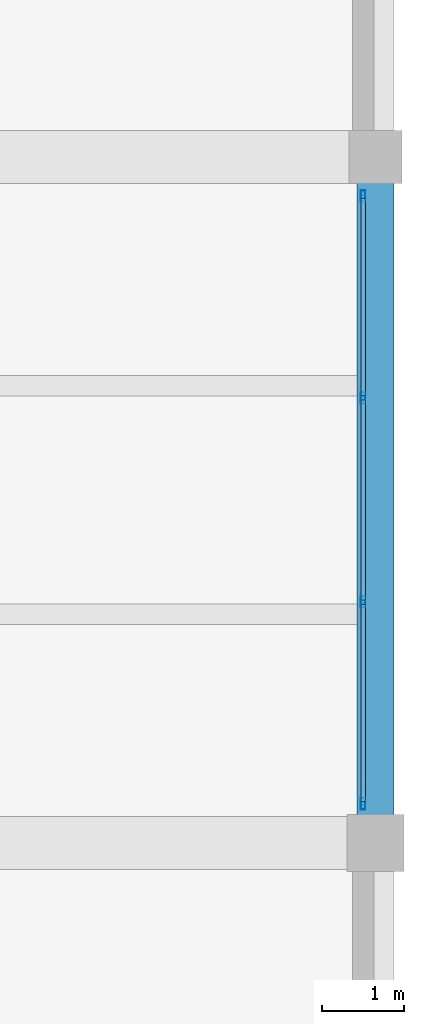
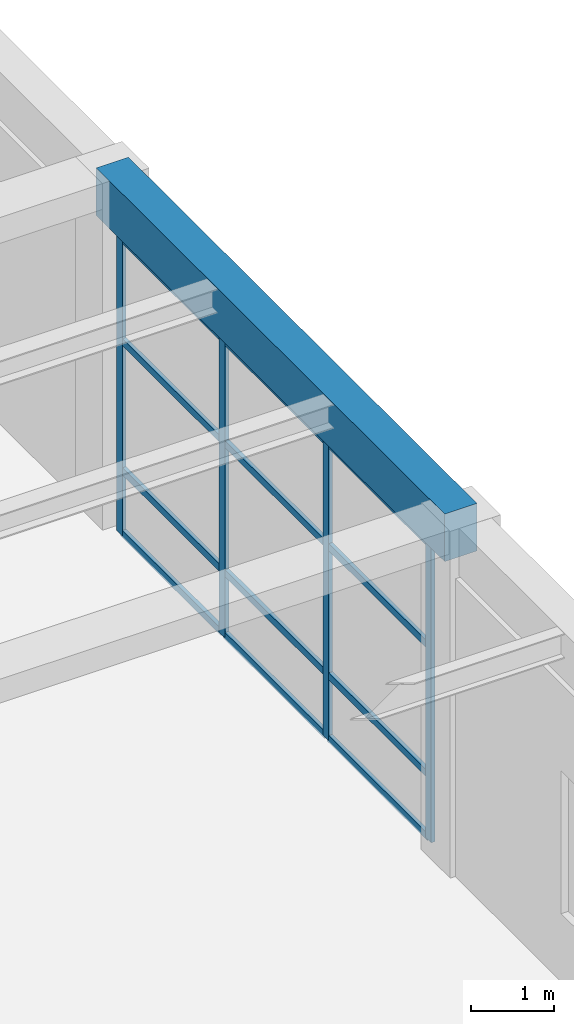
# One storey, part 58 of 95: 16 members, 1 beam, 1 element without a shape of its own.
"""IFC4 building model written with IfcOpenShell, lengths in metres."""

from ifc_helpers import new_model, si_unit, direction, frame, origin, origin_2d, place, context, subcontext, project, spatial, rectangle, hollow_rectangle, extrude, material, material_profile, profile_set, type_object, element, aggregate, save


model = new_model("IFC4")

# Units and contexts
model_context = context("Model", 3, precision=1e-05, world=origin(), true_north=direction((0.0, 1.0)))
body_context = subcontext(model_context, "Body", "Model", "MODEL_VIEW")
ifc_project = project(units=[si_unit("LENGTHUNIT", "METRE"), si_unit("AREAUNIT", "SQUARE_METRE"), si_unit("VOLUMEUNIT", "CUBIC_METRE"), si_unit("PLANEANGLEUNIT", "RADIAN"), si_unit("MASSUNIT", "GRAM", prefix="KILO")], contexts=[model_context])

# Site, building, storey
site_placement = place(None, origin())
site = spatial("IfcSite", under=ifc_project, at=site_placement, CompositionType="ELEMENT")
building_placement = place(site_placement, origin())
building = spatial("IfcBuilding", under=site, at=building_placement, Name="Almacenes y Pasaje Nevantli", CompositionType="ELEMENT")
storey_placement = place(building_placement, frame((0.0, 0.0, 11.39990234375)))
storey = spatial("IfcBuildingStorey", under=building, at=storey_placement, Name="L03", CompositionType="ELEMENT", Elevation=11.39990234375)

# Beam
ifc_material_1 = material(Name="Concrete C35/45", Category="concrete")
ifc_material_profile_1 = material_profile(ifc_material_1, rectangle(XDim=0.449951171875, YDim=0.699951171875, at=origin_2d()), Name="RC-BM-450x700")
ifc_profile_set_1 = profile_set([ifc_material_profile_1], Name="Concrete C35/45")
beam_type = type_object("IfcBeamType", Name="BM-RC-450x700", PredefinedType="SPANDREL", material=ifc_profile_set_1)
beam_placement = place(storey_placement, frame((168.0, 84.0, 4.75), z_axis=(0.0, 1.0, 0.0), x_axis=(-1.0, 0.0, 0.0)))
element("IfcBeam", 1, at=beam_placement, inside=storey, type_object=beam_type, Name="L03 North-South Reinforced Concrete Beam #2712", PredefinedType="SPANDREL", context=body_context, shape_type="SweptSolid", body=[
    extrude(rectangle(XDim=0.449951171875, YDim=0.699951171875, at=origin_2d()), origin(), (0.0, 0.0, 1.0), 8.39990234375),
])

# Curtain wall, members
ifc_material_2 = material(Name="Thermally Broken Aluminium and Low-E Glass", Category="aluminium")
curtain_wall_type = type_object("IfcCurtainWallType", Name="CW-UNIT-PODIUM", PredefinedType="USERDEFINED", material=ifc_material_2)
curtain_wall_placement = place(storey_placement, origin())
curtain_wall = element("IfcCurtainWall", 2, at=curtain_wall_placement, inside=storey, type_object=curtain_wall_type, Name="L03 East Office Wing Curtain Wall Bay 11", ObjectType="UNITIZED CURTAIN WALL", PredefinedType="USERDEFINED")
ifc_material_3 = material(Name="Thermally Broken Anodized Aluminium", Category="aluminium")
ifc_material_profile_2 = material_profile(ifc_material_3, hollow_rectangle(XDim=0.054931640625, YDim=0.139892578125, WallThickness=0.00341796875, at=origin_2d()), Name="ALU-MUL-55x140")
ifc_profile_set_2 = profile_set([ifc_material_profile_2], Name="Thermally Broken Anodized Aluminium")
member_type_1 = type_object("IfcMemberType", Name="CW-MUL-160", PredefinedType="MULLION", material=ifc_profile_set_2)
member_1_placement = place(storey_placement, frame((167.85009765625, 84.4775390625, 0.0), z_axis=(0.0, 0.0, 1.0), x_axis=(-1.0, 0.0, 0.0)))
member_1 = element("IfcMember", 3, at=member_1_placement, type_object=member_type_1, Name="CW-L03-056 mullion 1", PredefinedType="MULLION", context=body_context, shape_type="SweptSolid", body=[
    extrude(hollow_rectangle(XDim=0.054931640625, YDim=0.139892578125, WallThickness=0.00341796875, at=origin_2d()), origin(), (0.0, 0.0, 1.0), 4.380126953125),
])
member_2_placement = place(storey_placement, frame((167.85009765625, 86.949951171875, 0.0), z_axis=(0.0, 0.0, 1.0), x_axis=(-1.0, 0.0, 0.0)))
member_2 = element("IfcMember", 4, at=member_2_placement, type_object=member_type_1, Name="CW-L03-056 mullion 2", PredefinedType="MULLION", context=body_context, shape_type="SweptSolid", body=[
    extrude(hollow_rectangle(XDim=0.054931640625, YDim=0.139892578125, WallThickness=0.00341796875, at=origin_2d()), origin(), (0.0, 0.0, 1.0), 4.380126953125),
])
member_3_placement = place(storey_placement, frame((167.85009765625, 89.449951171875, 0.0), z_axis=(0.0, 0.0, 1.0), x_axis=(-1.0, 0.0, 0.0)))
member_3 = element("IfcMember", 5, at=member_3_placement, type_object=member_type_1, Name="CW-L03-056 mullion 3", PredefinedType="MULLION", context=body_context, shape_type="SweptSolid", body=[
    extrude(hollow_rectangle(XDim=0.054931640625, YDim=0.139892578125, WallThickness=0.00341796875, at=origin_2d()), origin(), (0.0, 0.0, 1.0), 4.380126953125),
])
member_4_placement = place(storey_placement, frame((167.85009765625, 91.922607421875, 0.0), z_axis=(0.0, 0.0, 1.0), x_axis=(-1.0, 0.0, 0.0)))
member_4 = element("IfcMember", 6, at=member_4_placement, type_object=member_type_1, Name="CW-L03-056 mullion 4", PredefinedType="MULLION", context=body_context, shape_type="SweptSolid", body=[
    extrude(hollow_rectangle(XDim=0.054931640625, YDim=0.139892578125, WallThickness=0.00341796875, at=origin_2d()), origin(), (0.0, 0.0, 1.0), 4.380126953125),
])
ifc_material_4 = material(Name="Thermally Broken Anodized Aluminium", Category="aluminium")
ifc_material_profile_3 = material_profile(ifc_material_4, hollow_rectangle(XDim=0.054931640625, YDim=0.10498046875, WallThickness=0.003173828125, at=origin_2d()), Name="ALU-TRN-55x105")
ifc_profile_set_3 = profile_set([ifc_material_profile_3], Name="Thermally Broken Anodized Aluminium")
member_type_2 = type_object("IfcMemberType", Name="CW-TRN-120", PredefinedType="USERDEFINED", material=ifc_profile_set_3)
member_5_placement = place(storey_placement, frame((167.85009765625, 84.5048828125, 0.027587890625), z_axis=(0.0, 1.0, 0.0), x_axis=(-1.0, 0.0, 0.0)))
member_5 = element("IfcMember", 7, at=member_5_placement, type_object=member_type_2, Name="CW-L03-056 transom 1.1", ObjectType="TRANSOM", PredefinedType="USERDEFINED", context=body_context, shape_type="SweptSolid", body=[
    extrude(hollow_rectangle(XDim=0.054931640625, YDim=0.10498046875, WallThickness=0.003173828125, at=origin_2d()), origin(), (0.0, 0.0, 1.0), 2.417724609375),
])
member_6_placement = place(storey_placement, frame((167.85009765625, 84.5048828125, 0.9501953125), z_axis=(0.0, 1.0, 0.0), x_axis=(-1.0, 0.0, 0.0)))
member_6 = element("IfcMember", 8, at=member_6_placement, type_object=member_type_2, Name="CW-L03-056 transom 1.2", ObjectType="TRANSOM", PredefinedType="USERDEFINED", context=body_context, shape_type="SweptSolid", body=[
    extrude(hollow_rectangle(XDim=0.054931640625, YDim=0.10498046875, WallThickness=0.003173828125, at=origin_2d()), origin(), (0.0, 0.0, 1.0), 2.417724609375),
])
member_7_placement = place(storey_placement, frame((167.85009765625, 84.5048828125, 2.85009765625), z_axis=(0.0, 1.0, 0.0), x_axis=(-1.0, 0.0, 0.0)))
member_7 = element("IfcMember", 9, at=member_7_placement, type_object=member_type_2, Name="CW-L03-056 transom 1.3", ObjectType="TRANSOM", PredefinedType="USERDEFINED", context=body_context, shape_type="SweptSolid", body=[
    extrude(hollow_rectangle(XDim=0.054931640625, YDim=0.10498046875, WallThickness=0.003173828125, at=origin_2d()), origin(), (0.0, 0.0, 1.0), 2.417724609375),
])
member_8_placement = place(storey_placement, frame((167.85009765625, 84.5048828125, 4.3525390625), z_axis=(0.0, 1.0, 0.0), x_axis=(-1.0, 0.0, 0.0)))
member_8 = element("IfcMember", 10, at=member_8_placement, type_object=member_type_2, Name="CW-L03-056 transom 1.4", ObjectType="TRANSOM", PredefinedType="USERDEFINED", context=body_context, shape_type="SweptSolid", body=[
    extrude(hollow_rectangle(XDim=0.054931640625, YDim=0.10498046875, WallThickness=0.003173828125, at=origin_2d()), origin(), (0.0, 0.0, 1.0), 2.417724609375),
])
member_9_placement = place(storey_placement, frame((167.85009765625, 86.9775390625, 0.027587890625), z_axis=(0.0, 1.0, 0.0), x_axis=(-1.0, 0.0, 0.0)))
member_9 = element("IfcMember", 11, at=member_9_placement, type_object=member_type_2, Name="CW-L03-056 transom 2.1", ObjectType="TRANSOM", PredefinedType="USERDEFINED", context=body_context, shape_type="SweptSolid", body=[
    extrude(hollow_rectangle(XDim=0.054931640625, YDim=0.10498046875, WallThickness=0.003173828125, at=origin_2d()), origin(), (0.0, 0.0, 1.0), 2.445068359375),
])
member_10_placement = place(storey_placement, frame((167.85009765625, 86.9775390625, 0.9501953125), z_axis=(0.0, 1.0, 0.0), x_axis=(-1.0, 0.0, 0.0)))
member_10 = element("IfcMember", 12, at=member_10_placement, type_object=member_type_2, Name="CW-L03-056 transom 2.2", ObjectType="TRANSOM", PredefinedType="USERDEFINED", context=body_context, shape_type="SweptSolid", body=[
    extrude(hollow_rectangle(XDim=0.054931640625, YDim=0.10498046875, WallThickness=0.003173828125, at=origin_2d()), origin(), (0.0, 0.0, 1.0), 2.445068359375),
])
member_11_placement = place(storey_placement, frame((167.85009765625, 86.9775390625, 2.85009765625), z_axis=(0.0, 1.0, 0.0), x_axis=(-1.0, 0.0, 0.0)))
member_11 = element("IfcMember", 13, at=member_11_placement, type_object=member_type_2, Name="CW-L03-056 transom 2.3", ObjectType="TRANSOM", PredefinedType="USERDEFINED", context=body_context, shape_type="SweptSolid", body=[
    extrude(hollow_rectangle(XDim=0.054931640625, YDim=0.10498046875, WallThickness=0.003173828125, at=origin_2d()), origin(), (0.0, 0.0, 1.0), 2.445068359375),
])
member_12_placement = place(storey_placement, frame((167.85009765625, 86.9775390625, 4.3525390625), z_axis=(0.0, 1.0, 0.0), x_axis=(-1.0, 0.0, 0.0)))
member_12 = element("IfcMember", 14, at=member_12_placement, type_object=member_type_2, Name="CW-L03-056 transom 2.4", ObjectType="TRANSOM", PredefinedType="USERDEFINED", context=body_context, shape_type="SweptSolid", body=[
    extrude(hollow_rectangle(XDim=0.054931640625, YDim=0.10498046875, WallThickness=0.003173828125, at=origin_2d()), origin(), (0.0, 0.0, 1.0), 2.445068359375),
])
member_13_placement = place(storey_placement, frame((167.85009765625, 89.4775390625, 0.027587890625), z_axis=(0.0, 1.0, 0.0), x_axis=(-1.0, 0.0, 0.0)))
member_13 = element("IfcMember", 15, at=member_13_placement, type_object=member_type_2, Name="CW-L03-056 transom 3.1", ObjectType="TRANSOM", PredefinedType="USERDEFINED", context=body_context, shape_type="SweptSolid", body=[
    extrude(hollow_rectangle(XDim=0.054931640625, YDim=0.10498046875, WallThickness=0.003173828125, at=origin_2d()), origin(), (0.0, 0.0, 1.0), 2.41748046875),
])
member_14_placement = place(storey_placement, frame((167.85009765625, 89.4775390625, 0.9501953125), z_axis=(0.0, 1.0, 0.0), x_axis=(-1.0, 0.0, 0.0)))
member_14 = element("IfcMember", 16, at=member_14_placement, type_object=member_type_2, Name="CW-L03-056 transom 3.2", ObjectType="TRANSOM", PredefinedType="USERDEFINED", context=body_context, shape_type="SweptSolid", body=[
    extrude(hollow_rectangle(XDim=0.054931640625, YDim=0.10498046875, WallThickness=0.003173828125, at=origin_2d()), origin(), (0.0, 0.0, 1.0), 2.41748046875),
])
member_15_placement = place(storey_placement, frame((167.85009765625, 89.4775390625, 2.85009765625), z_axis=(0.0, 1.0, 0.0), x_axis=(-1.0, 0.0, 0.0)))
member_15 = element("IfcMember", 17, at=member_15_placement, type_object=member_type_2, Name="CW-L03-056 transom 3.3", ObjectType="TRANSOM", PredefinedType="USERDEFINED", context=body_context, shape_type="SweptSolid", body=[
    extrude(hollow_rectangle(XDim=0.054931640625, YDim=0.10498046875, WallThickness=0.003173828125, at=origin_2d()), origin(), (0.0, 0.0, 1.0), 2.41748046875),
])
member_16_placement = place(storey_placement, frame((167.85009765625, 89.4775390625, 4.3525390625), z_axis=(0.0, 1.0, 0.0), x_axis=(-1.0, 0.0, 0.0)))
member_16 = element("IfcMember", 18, at=member_16_placement, type_object=member_type_2, Name="CW-L03-056 transom 3.4", ObjectType="TRANSOM", PredefinedType="USERDEFINED", context=body_context, shape_type="SweptSolid", body=[
    extrude(hollow_rectangle(XDim=0.054931640625, YDim=0.10498046875, WallThickness=0.003173828125, at=origin_2d()), origin(), (0.0, 0.0, 1.0), 2.41748046875),
])
aggregate(curtain_wall, [member_1, member_2, member_3, member_4, member_5, member_6, member_7, member_8, member_9, member_10, member_11, member_12, member_13, member_14, member_15, member_16])

save(model, "model.ifc")
